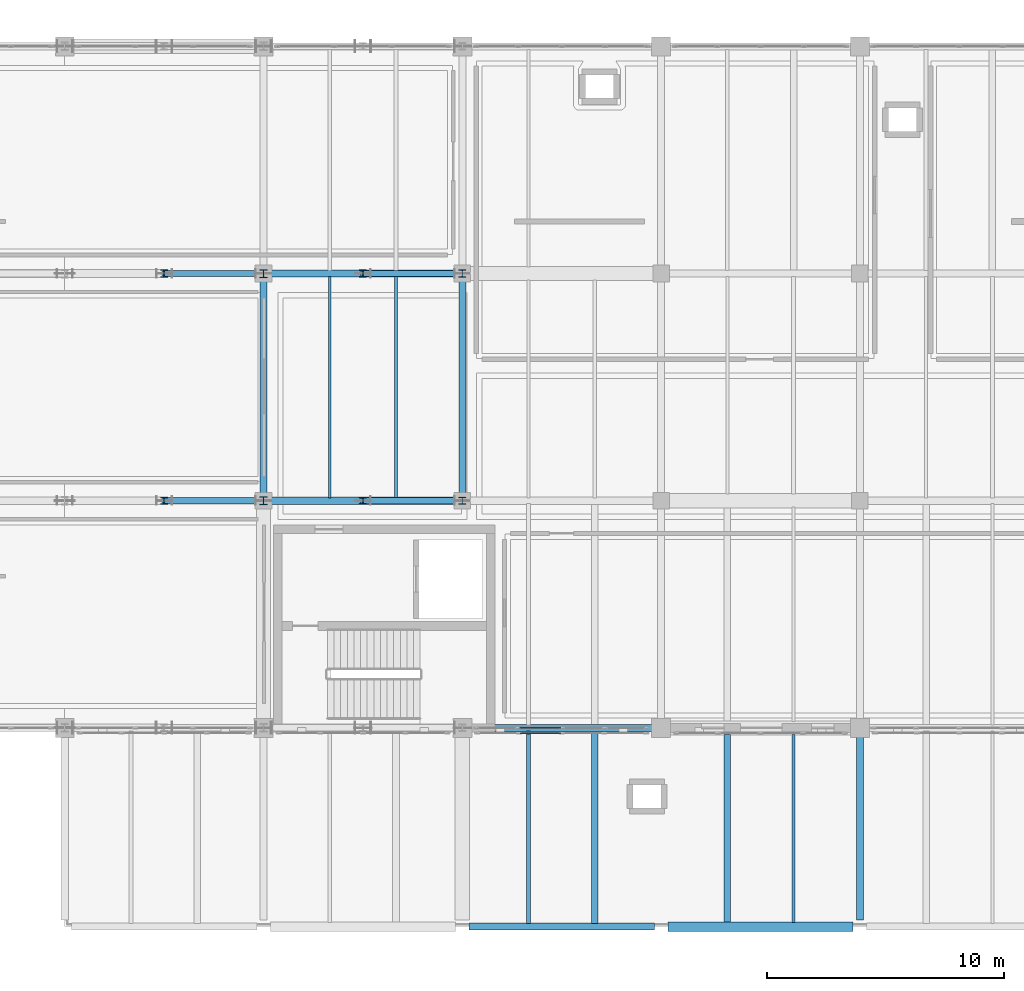
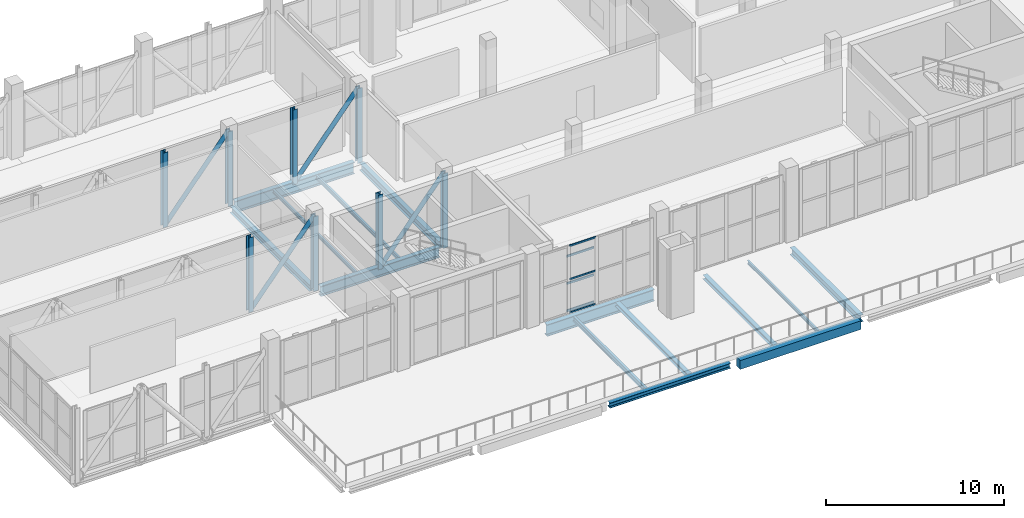
# One storey, part 9 of 77: 18 members, 14 beams, 2 elements without a shape of their own.
"""IFC4 building model written with IfcOpenShell, lengths in metres."""

from ifc_helpers import new_model, si_unit, direction, frame, origin, origin_2d, place, context, subcontext, project, spatial, rectangle, hollow_rectangle, hollow_circle, i_section, extrude, material, layer, layer_set, material_profile, profile_set, type_object, element, aggregate, save


model = new_model("IFC4")

# Units and contexts
model_context = context("Model", 3, precision=1e-05, world=origin(), true_north=direction((0.0, 1.0)))
body_context = subcontext(model_context, "Body", "Model", "MODEL_VIEW")
ifc_project = project(units=[si_unit("LENGTHUNIT", "METRE"), si_unit("AREAUNIT", "SQUARE_METRE"), si_unit("VOLUMEUNIT", "CUBIC_METRE"), si_unit("PLANEANGLEUNIT", "RADIAN"), si_unit("MASSUNIT", "GRAM", prefix="KILO")], contexts=[model_context])

# Site, building, storey
site_placement = place(None, origin())
site = spatial("IfcSite", under=ifc_project, at=site_placement, CompositionType="ELEMENT")
building_placement = place(site_placement, origin())
building = spatial("IfcBuilding", under=site, at=building_placement, Name="Zulmaris Art Gallery", CompositionType="ELEMENT")
storey_placement = place(building_placement, frame((0.0, 0.0, 15.60009765625)))
storey = spatial("IfcBuildingStorey", under=building, at=storey_placement, Name="L03", CompositionType="ELEMENT", Elevation=15.60009765625)

# Beams
ifc_material_1 = material(Name="Steel S355J2", Category="steel")
ifc_material_profile_1 = material_profile(ifc_material_1, i_section(OverallWidth=0.300048828125, OverallDepth=0.43994140625, WebThickness=0.011474609375, FlangeThickness=0.02099609375, FilletRadius=0.027099609375, at=origin_2d()), Name="HEA 450")
ifc_profile_set_1 = profile_set([ifc_material_profile_1], Name="Steel S355J2")
beam_type_1 = type_object("IfcBeamType", Name="BEAM-BM10", PredefinedType="BEAM", material=ifc_profile_set_1)
beam_1_placement = place(storey_placement, frame((32.39990234375, 31.534912109375, -0.6201171875), z_axis=(0.0, 1.0, 0.0), x_axis=(-1.0, 0.0, 0.0)))
element("IfcBeam", 1, at=beam_1_placement, inside=storey, type_object=beam_type_1, Name="L03 Y-girder (x=32.4, 31.2..40.8)", PredefinedType="BEAM", context=body_context, shape_type="SweptSolid", body=[
    extrude(i_section(OverallWidth=0.300048828125, OverallDepth=0.43994140625, WebThickness=0.011474609375, FlangeThickness=0.02099609375, FilletRadius=0.027099609375, at=origin_2d()), origin(), (0.0, 0.0, 1.0), 8.93017578125),
])
ifc_material_profile_2 = material_profile(ifc_material_1, i_section(OverallWidth=0.300048828125, OverallDepth=0.489990234375, WebThickness=0.011962890625, FlangeThickness=0.02294921875, FilletRadius=0.027099609375, at=origin_2d()), Name="HEA 500")
ifc_profile_set_2 = profile_set([ifc_material_profile_2], Name="Steel S355J2")
beam_type_2 = type_object("IfcBeamType", Name="BEAM-BM11", PredefinedType="BEAM", material=ifc_profile_set_2)
beam_2_placement = place(storey_placement, frame((40.800048828125, 31.534912109375, -0.614990234375), z_axis=(0.0, 1.0, 0.0), x_axis=(-1.0, 0.0, 0.0)))
element("IfcBeam", 2, at=beam_2_placement, inside=storey, type_object=beam_type_2, Name="L03 Y-girder (x=40.8, 31.2..40.8)", PredefinedType="BEAM", context=body_context, shape_type="SweptSolid", body=[
    extrude(i_section(OverallWidth=0.300048828125, OverallDepth=0.489990234375, WebThickness=0.011962890625, FlangeThickness=0.02294921875, FilletRadius=0.027099609375, at=origin_2d()), origin(), (0.0, 0.0, 1.0), 8.93017578125),
])
beam_3_placement = place(storey_placement, frame((57.60009765625, 13.485107421875, -0.614990234375), z_axis=(0.0, 1.0, 0.0), x_axis=(-1.0, 0.0, 0.0)))
element("IfcBeam", 3, at=beam_3_placement, inside=storey, type_object=beam_type_2, Name="L03 Y-girder (x=57.6, 13.2..21.6)", PredefinedType="BEAM", context=body_context, shape_type="SweptSolid", body=[
    extrude(i_section(OverallWidth=0.300048828125, OverallDepth=0.489990234375, WebThickness=0.011962890625, FlangeThickness=0.02294921875, FilletRadius=0.027099609375, at=origin_2d()), origin(), (0.0, 0.0, 1.0), 7.72998046875),
])
ifc_material_profile_3 = material_profile(ifc_material_1, i_section(OverallWidth=0.300048828125, OverallDepth=0.699951171875, WebThickness=0.01708984375, FlangeThickness=0.031982421875, FilletRadius=0.027099609375, at=origin_2d()), Name="HEB 700")
ifc_profile_set_3 = profile_set([ifc_material_profile_3], Name="Steel S355J2")
beam_type_3 = type_object("IfcBeamType", Name="BEAM-BM16", PredefinedType="BEAM", material=ifc_profile_set_3)
beam_4_placement = place(storey_placement, frame((32.735107421875, 31.199951171875, -0.72021484375), z_axis=(1.0, 0.0, 0.0), x_axis=(0.0, 1.0, 0.0)))
element("IfcBeam", 4, at=beam_4_placement, inside=storey, type_object=beam_type_3, Name="L03 X-girder (32.4..40.8, y=31.2)", PredefinedType="BEAM", context=body_context, shape_type="SweptSolid", body=[
    extrude(i_section(OverallWidth=0.300048828125, OverallDepth=0.699951171875, WebThickness=0.01708984375, FlangeThickness=0.031982421875, FilletRadius=0.027099609375, at=origin_2d()), origin(), (0.0, 0.0, 1.0), 7.72998046875),
])
ifc_material_profile_4 = material_profile(ifc_material_1, i_section(OverallWidth=0.300048828125, OverallDepth=0.800048828125, WebThickness=0.017578125, FlangeThickness=0.032958984375, FilletRadius=0.030029296875, at=origin_2d()), Name="HEB 800")
ifc_profile_set_4 = profile_set([ifc_material_profile_4], Name="Steel S355J2")
beam_type_4 = type_object("IfcBeamType", Name="BEAM-BM17", PredefinedType="BEAM", material=ifc_profile_set_4)
beam_5_placement = place(storey_placement, frame((41.85009765625, 21.60009765625, -0.77001953125), z_axis=(1.0, 0.0, 0.0), x_axis=(0.0, 1.0, 0.0)))
element("IfcBeam", 5, at=beam_5_placement, inside=storey, type_object=beam_type_4, Name="L03 X-girder (40.8..49.2, y=21.6)", PredefinedType="BEAM", context=body_context, shape_type="SweptSolid", body=[
    extrude(i_section(OverallWidth=0.300048828125, OverallDepth=0.800048828125, WebThickness=0.017578125, FlangeThickness=0.032958984375, FilletRadius=0.030029296875, at=origin_2d()), origin(), (0.0, 0.0, 1.0), 6.96484375),
])
beam_6_placement = place(storey_placement, frame((32.735107421875, 40.800048828125, -0.77001953125), z_axis=(1.0, 0.0, 0.0), x_axis=(0.0, 1.0, 0.0)))
element("IfcBeam", 6, at=beam_6_placement, inside=storey, type_object=beam_type_4, Name="L03 X-girder (32.4..40.8, y=40.8)", PredefinedType="BEAM", context=body_context, shape_type="SweptSolid", body=[
    extrude(i_section(OverallWidth=0.300048828125, OverallDepth=0.800048828125, WebThickness=0.017578125, FlangeThickness=0.032958984375, FilletRadius=0.030029296875, at=origin_2d()), origin(), (0.0, 0.0, 1.0), 7.72998046875),
])
ifc_material_profile_5 = material_profile(ifc_material_1, i_section(OverallWidth=0.1201171875, OverallDepth=0.239990234375, WebThickness=0.006103515625, FlangeThickness=0.009765625, FilletRadius=0.014892578125, at=origin_2d()), Name="IPE 240")
ifc_profile_set_5 = profile_set([ifc_material_profile_5], Name="Steel S355J2")
beam_type_5 = type_object("IfcBeamType", Name="BEAM-JS01", PredefinedType="JOIST", material=ifc_profile_set_5)
beam_7_placement = place(storey_placement, frame((35.199951171875, 31.324951171875, -0.489990234375), z_axis=(0.0, 1.0, 0.0), x_axis=(-1.0, 0.0, 0.0)))
element("IfcBeam", 7, at=beam_7_placement, inside=storey, type_object=beam_type_5, Name="L03 secondary joist at x=35.2", PredefinedType="JOIST", context=body_context, shape_type="SweptSolid", body=[
    extrude(i_section(OverallWidth=0.1201171875, OverallDepth=0.239990234375, WebThickness=0.006103515625, FlangeThickness=0.009765625, FilletRadius=0.014892578125, at=origin_2d()), origin(), (0.0, 0.0, 1.0), 9.35009765625),
])
beam_8_placement = place(storey_placement, frame((54.800048828125, 13.375, -0.489990234375), z_axis=(0.0, 1.0, 0.0), x_axis=(-1.0, 0.0, 0.0)))
element("IfcBeam", 8, at=beam_8_placement, inside=storey, type_object=beam_type_5, Name="L03 secondary joist at x=54.8", PredefinedType="JOIST", context=body_context, shape_type="SweptSolid", body=[
    extrude(i_section(OverallWidth=0.1201171875, OverallDepth=0.239990234375, WebThickness=0.006103515625, FlangeThickness=0.009765625, FilletRadius=0.014892578125, at=origin_2d()), origin(), (0.0, 0.0, 1.0), 7.949951171875),
])
ifc_material_profile_6 = material_profile(ifc_material_1, i_section(OverallWidth=0.135009765625, OverallDepth=0.27001953125, WebThickness=0.006591796875, FlangeThickness=0.01025390625, FilletRadius=0.014892578125, at=origin_2d()), Name="IPE 270")
ifc_profile_set_6 = profile_set([ifc_material_profile_6], Name="Steel S355J2")
beam_type_6 = type_object("IfcBeamType", Name="BEAM-JS02", PredefinedType="JOIST", material=ifc_profile_set_6)
beam_9_placement = place(storey_placement, frame((38.0, 31.324951171875, -0.505126953125), z_axis=(0.0, 1.0, 0.0), x_axis=(-1.0, 0.0, 0.0)))
element("IfcBeam", 9, at=beam_9_placement, inside=storey, type_object=beam_type_6, Name="L03 secondary joist at x=38.0", PredefinedType="JOIST", context=body_context, shape_type="SweptSolid", body=[
    extrude(i_section(OverallWidth=0.135009765625, OverallDepth=0.27001953125, WebThickness=0.006591796875, FlangeThickness=0.01025390625, FilletRadius=0.014892578125, at=origin_2d()), origin(), (0.0, 0.0, 1.0), 9.35009765625),
])
ifc_material_profile_7 = material_profile(ifc_material_1, i_section(OverallWidth=0.159912109375, OverallDepth=0.330078125, WebThickness=0.007568359375, FlangeThickness=0.011474609375, FilletRadius=0.01806640625, at=origin_2d()), Name="IPE 330")
ifc_profile_set_7 = profile_set([ifc_material_profile_7], Name="Steel S355J2")
beam_type_7 = type_object("IfcBeamType", Name="BEAM-JS03", PredefinedType="JOIST", material=ifc_profile_set_7)
beam_10_placement = place(storey_placement, frame((43.60009765625, 13.324951171875, -0.53515625), z_axis=(0.0, 1.0, 0.0), x_axis=(-1.0, 0.0, 0.0)))
element("IfcBeam", 10, at=beam_10_placement, inside=storey, type_object=beam_type_7, Name="L03 secondary joist at x=43.6", PredefinedType="JOIST", context=body_context, shape_type="SweptSolid", body=[
    extrude(i_section(OverallWidth=0.159912109375, OverallDepth=0.330078125, WebThickness=0.007568359375, FlangeThickness=0.011474609375, FilletRadius=0.01806640625, at=origin_2d()), origin(), (0.0, 0.0, 1.0), 8.150146484375),
])
ifc_material_profile_8 = material_profile(ifc_material_1, i_section(OverallWidth=0.280029296875, OverallDepth=0.27001953125, WebThickness=0.008056640625, FlangeThickness=0.012939453125, FilletRadius=0.02392578125, at=origin_2d()), Name="HEA 280")
ifc_profile_set_8 = profile_set([ifc_material_profile_8], Name="Steel S355J2")
beam_type_8 = type_object("IfcBeamType", Name="BEAM-JS04", PredefinedType="JOIST", material=ifc_profile_set_8)
beam_11_placement = place(storey_placement, frame((46.39990234375, 13.324951171875, -0.505126953125), z_axis=(0.0, 1.0, 0.0), x_axis=(-1.0, 0.0, 0.0)))
element("IfcBeam", 11, at=beam_11_placement, inside=storey, type_object=beam_type_8, Name="L03 secondary joist at x=46.4", PredefinedType="JOIST", context=body_context, shape_type="SweptSolid", body=[
    extrude(i_section(OverallWidth=0.280029296875, OverallDepth=0.27001953125, WebThickness=0.008056640625, FlangeThickness=0.012939453125, FilletRadius=0.02392578125, at=origin_2d()), origin(), (0.0, 0.0, 1.0), 8.150146484375),
])
beam_12_placement = place(storey_placement, frame((52.0, 13.375, -0.505126953125), z_axis=(0.0, 1.0, 0.0), x_axis=(-1.0, 0.0, 0.0)))
element("IfcBeam", 12, at=beam_12_placement, inside=storey, type_object=beam_type_8, Name="L03 secondary joist at x=52.0", PredefinedType="JOIST", context=body_context, shape_type="SweptSolid", body=[
    extrude(i_section(OverallWidth=0.280029296875, OverallDepth=0.27001953125, WebThickness=0.008056640625, FlangeThickness=0.012939453125, FilletRadius=0.02392578125, at=origin_2d()), origin(), (0.0, 0.0, 1.0), 7.949951171875),
])
ifc_material_profile_9 = material_profile(ifc_material_1, i_section(OverallWidth=0.300048828125, OverallDepth=0.35009765625, WebThickness=0.010009765625, FlangeThickness=0.017578125, FilletRadius=0.027099609375, at=origin_2d()), Name="HEA 360")
ifc_profile_set_9 = profile_set([ifc_material_profile_9], Name="Steel S355J2")
beam_type_9 = type_object("IfcBeamType", Name="BEAM-SP01", PredefinedType="SPANDREL", material=ifc_profile_set_9)
beam_13_placement = place(storey_placement, frame((41.0849609375, 13.199951171875, -0.545166015625), z_axis=(1.0, 0.0, 0.0), x_axis=(0.0, 1.0, 0.0)))
element("IfcBeam", 13, at=beam_13_placement, inside=storey, type_object=beam_type_9, Name="L03 X-girder (40.8..49.2, y=13.2)", PredefinedType="SPANDREL", context=body_context, shape_type="SweptSolid", body=[
    extrude(i_section(OverallWidth=0.300048828125, OverallDepth=0.35009765625, WebThickness=0.010009765625, FlangeThickness=0.017578125, FilletRadius=0.027099609375, at=origin_2d()), origin(), (0.0, 0.0, 1.0), 7.830078125),
])
ifc_material_2 = material(Name="Concrete C40/50", Category="concrete")
ifc_material_profile_10 = material_profile(ifc_material_2, rectangle(XDim=0.39990234375, YDim=0.60009765625, at=origin_2d()), Name="RC 400x600")
ifc_profile_set_10 = profile_set([ifc_material_profile_10], Name="Concrete C40/50")
beam_type_10 = type_object("IfcBeamType", Name="BEAM-SP03", PredefinedType="SPANDREL", material=ifc_profile_set_10)
beam_14_placement = place(storey_placement, frame((49.485107421875, 13.199951171875, -0.670166015625), z_axis=(1.0, 0.0, 0.0), x_axis=(0.0, 1.0, 0.0)))
element("IfcBeam", 14, at=beam_14_placement, inside=storey, type_object=beam_type_10, Name="L03 X-girder (49.2..57.6, y=13.2)", PredefinedType="SPANDREL", context=body_context, shape_type="SweptSolid", body=[
    extrude(rectangle(XDim=0.39990234375, YDim=0.60009765625, at=origin_2d()), origin(), (0.0, 0.0, 1.0), 7.829833984375),
])

# Curtain wall, members
ifc_material_3 = material(Name="Unitised Low-E Gallery Curtain Wall", Category="aluminium")
ifc_layer_1 = layer(ifc_material_3, 0.179931640625)
ifc_layer_set_1 = layer_set([ifc_layer_1], Name="Unitised Low-E Gallery Curtain Wall")
curtain_wall_type_1 = type_object("IfcCurtainWallType", Name="CW-CW01", PredefinedType="NOTDEFINED", material=ifc_layer_set_1)
curtain_wall_1_placement = place(storey_placement, origin())
curtain_wall_1 = element("IfcCurtainWall", 15, at=curtain_wall_1_placement, inside=storey, type_object=curtain_wall_type_1, Name="L03 curtain wall 8", PredefinedType="NOTDEFINED")
ifc_material_4 = material(Name="Anodised Bronze Aluminium", Category="aluminium")
ifc_material_profile_11 = material_profile(ifc_material_4, hollow_rectangle(XDim=0.06494140625, YDim=0.14990234375, WallThickness=0.00390625, InnerFilletRadius=0.006103515625, OuterFilletRadius=0.010009765625, at=origin_2d()), Name="ALU 65x150x4")
ifc_profile_set_11 = profile_set([ifc_material_profile_11], Name="Anodised Bronze Aluminium")
member_type_1 = type_object("IfcMemberType", Name="CWTRN-01", PredefinedType="USERDEFINED", material=ifc_profile_set_11)
member_1_placement = place(storey_placement, frame((43.20751953125, 21.60009765625, 0.037353515625), z_axis=(1.0, 0.0, 0.0), x_axis=(0.0, 1.0, 0.0)))
member_1 = element("IfcMember", 16, at=member_1_placement, type_object=member_type_1, Name="CW01 transom 2.1", ObjectType="TRANSOM", PredefinedType="USERDEFINED", context=body_context, shape_type="SweptSolid", body=[
    extrude(hollow_rectangle(XDim=0.06494140625, YDim=0.14990234375, WallThickness=0.00390625, InnerFilletRadius=0.006103515625, OuterFilletRadius=0.010009765625, at=origin_2d()), origin(), (0.0, 0.0, 1.0), 1.7548828125),
])
member_2_placement = place(storey_placement, frame((43.20751953125, 21.60009765625, 1.90478515625), z_axis=(1.0, 0.0, 0.0), x_axis=(0.0, 1.0, 0.0)))
member_2 = element("IfcMember", 17, at=member_2_placement, type_object=member_type_1, Name="CW01 transom 2.2", ObjectType="TRANSOM", PredefinedType="USERDEFINED", context=body_context, shape_type="SweptSolid", body=[
    extrude(hollow_rectangle(XDim=0.06494140625, YDim=0.14990234375, WallThickness=0.00390625, InnerFilletRadius=0.006103515625, OuterFilletRadius=0.010009765625, at=origin_2d()), origin(), (0.0, 0.0, 1.0), 1.7548828125),
])
member_3_placement = place(storey_placement, frame((43.20751953125, 21.60009765625, 3.7724609375), z_axis=(1.0, 0.0, 0.0), x_axis=(0.0, 1.0, 0.0)))
member_3 = element("IfcMember", 18, at=member_3_placement, type_object=member_type_1, Name="CW01 transom 2.3", ObjectType="TRANSOM", PredefinedType="USERDEFINED", context=body_context, shape_type="SweptSolid", body=[
    extrude(hollow_rectangle(XDim=0.06494140625, YDim=0.14990234375, WallThickness=0.00390625, InnerFilletRadius=0.006103515625, OuterFilletRadius=0.010009765625, at=origin_2d()), origin(), (0.0, 0.0, 1.0), 1.7548828125),
])
aggregate(curtain_wall_1, [member_1, member_2, member_3])

ifc_material_5 = material(Name="Perforated Bronze Art Deco Mashrabiya Screen", Category="aluminium")
ifc_layer_2 = layer(ifc_material_5, 0.179931640625)
ifc_layer_set_2 = layer_set([ifc_layer_2], Name="Perforated Bronze Art Deco Mashrabiya Screen")
curtain_wall_type_2 = type_object("IfcCurtainWallType", Name="CW-CW06", PredefinedType="USERDEFINED", material=ifc_layer_set_2)
curtain_wall_2_placement = place(storey_placement, origin())
curtain_wall_2 = element("IfcCurtainWall", 19, at=curtain_wall_2_placement, inside=storey, type_object=curtain_wall_type_2, Name="L03 Mashrabiya screen 173", ObjectType="MASHRABIYA SCREEN", PredefinedType="USERDEFINED")
ifc_material_profile_12 = material_profile(ifc_material_4, hollow_rectangle(XDim=0.06494140625, YDim=0.1201171875, WallThickness=0.00390625, InnerFilletRadius=0.006103515625, OuterFilletRadius=0.010009765625, at=origin_2d()), Name="ALU 65x120x4")
ifc_profile_set_12 = profile_set([ifc_material_profile_12], Name="Anodised Bronze Aluminium")
member_type_2 = type_object("IfcMemberType", Name="CWTRN-03", PredefinedType="USERDEFINED", material=ifc_profile_set_12)
member_4_placement = place(storey_placement, frame((43.237548828125, 21.3798828125, 0.037353515625), z_axis=(1.0, 0.0, 0.0), x_axis=(0.0, 1.0, 0.0)))
member_4 = element("IfcMember", 20, at=member_4_placement, type_object=member_type_2, Name="CW06 transom 2.1", ObjectType="TRANSOM", PredefinedType="USERDEFINED", context=body_context, shape_type="SweptSolid", body=[
    extrude(hollow_rectangle(XDim=0.06494140625, YDim=0.1201171875, WallThickness=0.00390625, InnerFilletRadius=0.006103515625, OuterFilletRadius=0.010009765625, at=origin_2d()), origin(), (0.0, 0.0, 1.0), 1.724853515625),
])
member_5_placement = place(storey_placement, frame((43.237548828125, 21.3798828125, 2.324951171875), z_axis=(1.0, 0.0, 0.0), x_axis=(0.0, 1.0, 0.0)))
member_5 = element("IfcMember", 21, at=member_5_placement, type_object=member_type_2, Name="CW06 transom 2.2", ObjectType="TRANSOM", PredefinedType="USERDEFINED", context=body_context, shape_type="SweptSolid", body=[
    extrude(hollow_rectangle(XDim=0.06494140625, YDim=0.1201171875, WallThickness=0.00390625, InnerFilletRadius=0.006103515625, OuterFilletRadius=0.010009765625, at=origin_2d()), origin(), (0.0, 0.0, 1.0), 1.724853515625),
])
member_6_placement = place(storey_placement, frame((43.237548828125, 21.3798828125, 4.6123046875), z_axis=(1.0, 0.0, 0.0), x_axis=(0.0, 1.0, 0.0)))
member_6 = element("IfcMember", 22, at=member_6_placement, type_object=member_type_2, Name="CW06 transom 2.3", ObjectType="TRANSOM", PredefinedType="USERDEFINED", context=body_context, shape_type="SweptSolid", body=[
    extrude(hollow_rectangle(XDim=0.06494140625, YDim=0.1201171875, WallThickness=0.00390625, InnerFilletRadius=0.006103515625, OuterFilletRadius=0.010009765625, at=origin_2d()), origin(), (0.0, 0.0, 1.0), 1.724853515625),
])
aggregate(curtain_wall_2, [member_4, member_5, member_6])

# Members
ifc_material_6 = material(Name="Steel S355J2H", Category="steel")
ifc_material_profile_13 = material_profile(ifc_material_6, hollow_circle(Radius=0.136474609375, WallThickness=0.012451171875, at=origin_2d()), Name="CHS 273x12.5")
ifc_profile_set_13 = profile_set([ifc_material_profile_13], Name="Steel S355J2H")
member_type_3 = type_object("IfcMemberType", Name="MEM-TB03", PredefinedType="BRACE", material=ifc_profile_set_13)
for number, where, z_axis, x_axis, name in (
    (23, (28.199951171875, 31.199951171875, -0.5361328125), (0.634319436883, 0.0, 0.773071052357), (0.0, 1.0, 0.0), "Cantilever truss TR-C2 diagonal 5"),
    (24, (36.60009765625, 31.199951171875, -0.5361328125), (0.634319436883, 0.0, 0.773071052357), (0.0, 1.0, 0.0), "Cantilever truss TR-C2 diagonal 7"),
    (25, (28.199951171875, 40.800048828125, -0.5361328125), (0.634319436883, 0.0, 0.773071052357), (0.0, 1.0, 0.0), "Cantilever truss TR-C3 diagonal 5"),
    (26, (36.60009765625, 40.800048828125, -0.5361328125), (0.634319436883, 0.0, 0.773071052357), (0.0, 1.0, 0.0), "Cantilever truss TR-C3 diagonal 7"),
):
    element("IfcMember", number, at=place(storey_placement, frame(where, z_axis=z_axis, x_axis=x_axis)), inside=storey, type_object=member_type_3, Name=name, PredefinedType="BRACE", context=body_context, shape_type="SweptSolid", body=[
        extrude(hollow_circle(Radius=0.136474609375, WallThickness=0.012451171875, at=origin_2d()), origin(), (0.0, 0.0, 1.0), 6.62109375),
    ])
ifc_material_profile_14 = material_profile(ifc_material_1, i_section(OverallWidth=0.300048828125, OverallDepth=0.300048828125, WebThickness=0.010986328125, FlangeThickness=0.01904296875, FilletRadius=0.027099609375, at=origin_2d()), Name="HEB 300")
ifc_profile_set_14 = profile_set([ifc_material_profile_14], Name="Steel S355J2")
member_type_4 = type_object("IfcMemberType", Name="MEM-TP03", PredefinedType="POST", material=ifc_profile_set_14)
for number, where, z_axis, x_axis, name in (
    (27, (28.199951171875, 31.199951171875, -0.5361328125), (0.0, 0.0, 1.0), (1.0, 0.0, 0.0), "Cantilever truss TR-C2 post 5"),
    (28, (36.60009765625, 31.199951171875, -0.5361328125), (0.0, 0.0, 1.0), (1.0, 0.0, 0.0), "Cantilever truss TR-C2 post 7"),
):
    element("IfcMember", number, at=place(storey_placement, frame(where, z_axis=z_axis, x_axis=x_axis)), inside=storey, type_object=member_type_4, Name=name, PredefinedType="POST", context=body_context, shape_type="SweptSolid", body=[
        extrude(i_section(OverallWidth=0.300048828125, OverallDepth=0.300048828125, WebThickness=0.010986328125, FlangeThickness=0.01904296875, FilletRadius=0.027099609375, at=origin_2d()), origin(), (0.0, 0.0, 1.0), 5.11865234375),
    ])
member_7_placement = place(storey_placement, frame((40.800048828125, 31.199951171875, -0.550048828125), z_axis=(0.0, 0.0, 1.0), x_axis=(1.0, 0.0, 0.0)))
element("IfcMember", 29, at=member_7_placement, inside=storey, type_object=member_type_4, Name="Cantilever truss TR-C2 post 8", PredefinedType="POST", context=body_context, shape_type="SweptSolid", body=[
    extrude(i_section(OverallWidth=0.300048828125, OverallDepth=0.300048828125, WebThickness=0.010986328125, FlangeThickness=0.01904296875, FilletRadius=0.027099609375, at=origin_2d()), origin(), (0.0, 0.0, 1.0), 5.132568359375),
])
for number, where, z_axis, x_axis, name in (
    (30, (28.199951171875, 40.800048828125, -0.5361328125), (0.0, 0.0, 1.0), (1.0, 0.0, 0.0), "Cantilever truss TR-C3 post 5"),
    (31, (36.60009765625, 40.800048828125, -0.5361328125), (0.0, 0.0, 1.0), (1.0, 0.0, 0.0), "Cantilever truss TR-C3 post 7"),
):
    element("IfcMember", number, at=place(storey_placement, frame(where, z_axis=z_axis, x_axis=x_axis)), inside=storey, type_object=member_type_4, Name=name, PredefinedType="POST", context=body_context, shape_type="SweptSolid", body=[
        extrude(i_section(OverallWidth=0.300048828125, OverallDepth=0.300048828125, WebThickness=0.010986328125, FlangeThickness=0.01904296875, FilletRadius=0.027099609375, at=origin_2d()), origin(), (0.0, 0.0, 1.0), 5.11865234375),
    ])
member_8_placement = place(storey_placement, frame((40.800048828125, 40.800048828125, -0.550048828125), z_axis=(0.0, 0.0, 1.0), x_axis=(1.0, 0.0, 0.0)))
element("IfcMember", 32, at=member_8_placement, inside=storey, type_object=member_type_4, Name="Cantilever truss TR-C3 post 8", PredefinedType="POST", context=body_context, shape_type="SweptSolid", body=[
    extrude(i_section(OverallWidth=0.300048828125, OverallDepth=0.300048828125, WebThickness=0.010986328125, FlangeThickness=0.01904296875, FilletRadius=0.027099609375, at=origin_2d()), origin(), (0.0, 0.0, 1.0), 5.132568359375),
])
ifc_material_profile_15 = material_profile(ifc_material_1, i_section(OverallWidth=0.300048828125, OverallDepth=0.340087890625, WebThickness=0.011962890625, FlangeThickness=0.021484375, FilletRadius=0.027099609375, at=origin_2d()), Name="HEB 340")
ifc_profile_set_15 = profile_set([ifc_material_profile_15], Name="Steel S355J2")
member_type_5 = type_object("IfcMemberType", Name="MEM-TP04", PredefinedType="POST", material=ifc_profile_set_15)
for number, where, z_axis, x_axis, name in (
    (33, (32.39990234375, 31.199951171875, -0.550048828125), (0.0, 0.0, 1.0), (1.0, 0.0, 0.0), "Cantilever truss TR-C2 post 6"),
    (34, (32.39990234375, 40.800048828125, -0.550048828125), (0.0, 0.0, 1.0), (1.0, 0.0, 0.0), "Cantilever truss TR-C3 post 6"),
):
    element("IfcMember", number, at=place(storey_placement, frame(where, z_axis=z_axis, x_axis=x_axis)), inside=storey, type_object=member_type_5, Name=name, PredefinedType="POST", context=body_context, shape_type="SweptSolid", body=[
        extrude(i_section(OverallWidth=0.300048828125, OverallDepth=0.340087890625, WebThickness=0.011962890625, FlangeThickness=0.021484375, FilletRadius=0.027099609375, at=origin_2d()), origin(), (0.0, 0.0, 1.0), 5.132568359375),
    ])

save(model, "model.ifc")
